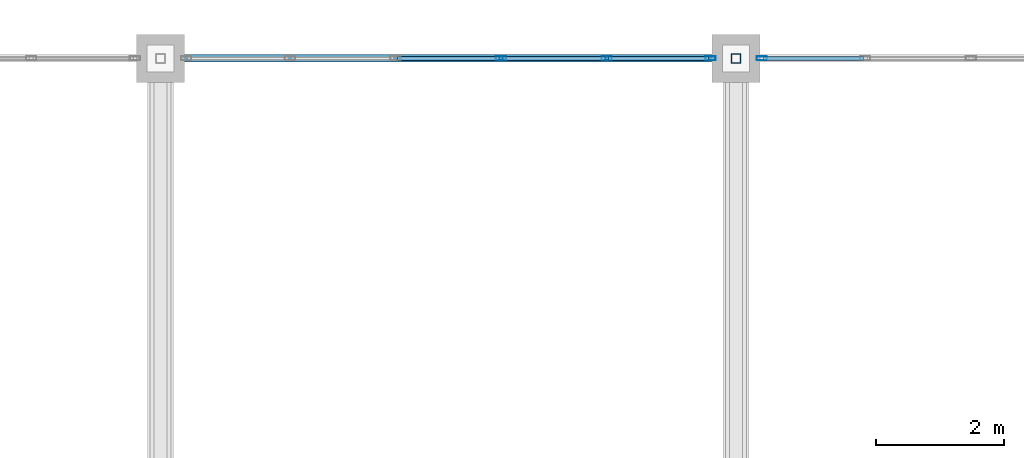
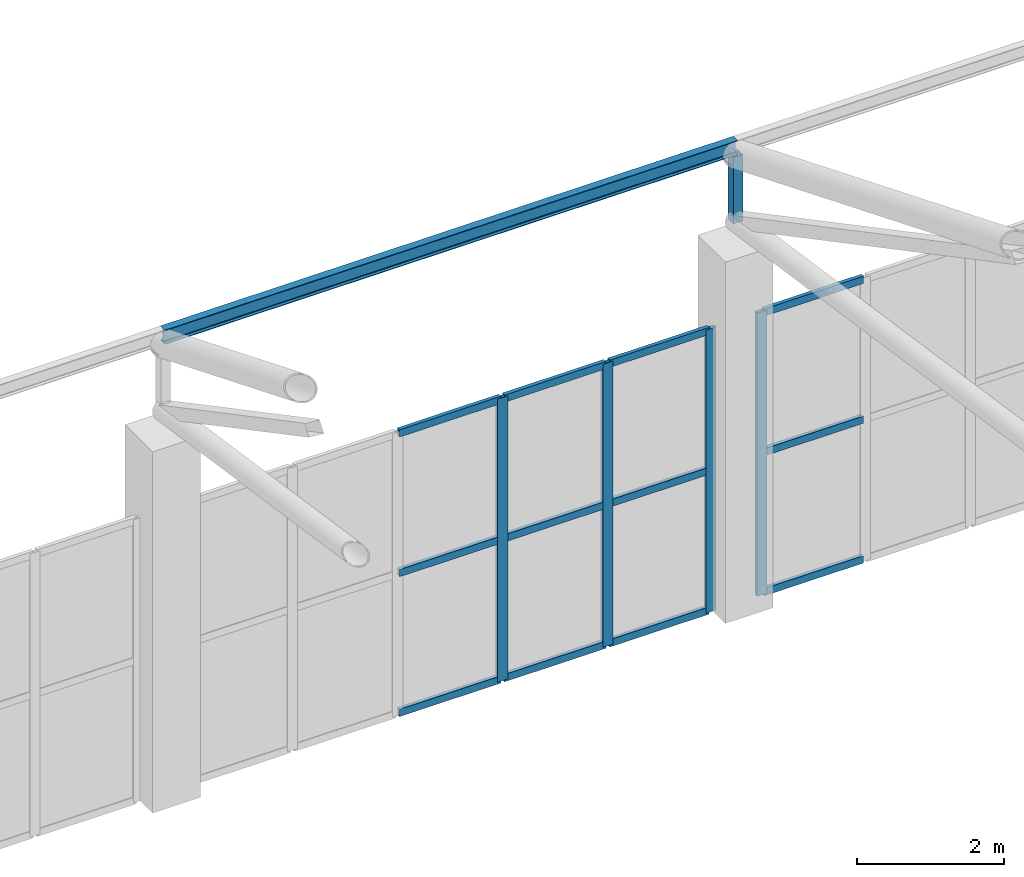
# One storey, part 132 of 223: 18 members, 2 elements without a shape of their own.
"""IFC4 building model written with IfcOpenShell, lengths in metres."""

from ifc_helpers import new_model, si_unit, direction, frame, origin, origin_2d, place, context, subcontext, project, spatial, hollow_rectangle, i_section, extrude, material, layer, layer_set, material_profile, profile_set, type_object, element, aggregate, save


model = new_model("IFC4")

# Units and contexts
model_context = context("Model", 3, precision=1e-05, world=origin(), true_north=direction((0.0, 1.0)))
body_context = subcontext(model_context, "Body", "Model", "MODEL_VIEW")
ifc_project = project(units=[si_unit("LENGTHUNIT", "METRE"), si_unit("AREAUNIT", "SQUARE_METRE"), si_unit("VOLUMEUNIT", "CUBIC_METRE"), si_unit("PLANEANGLEUNIT", "RADIAN"), si_unit("MASSUNIT", "GRAM", prefix="KILO")], contexts=[model_context])

# Site, building, storey
site_placement = place(None, origin())
site = spatial("IfcSite", under=ifc_project, at=site_placement, CompositionType="ELEMENT")
building_placement = place(site_placement, origin())
building = spatial("IfcBuilding", under=site, at=building_placement, Name="Dornveld Trade and Exhibition Forum", CompositionType="ELEMENT")
storey_placement = place(building_placement, frame((0.0, 0.0, 6.0)))
storey = spatial("IfcBuildingStorey", under=building, at=storey_placement, Name="L01", CompositionType="ELEMENT", Elevation=6.0)

# Curtain wall, members
ifc_material_1 = material(Name="Dark-bronze anodised aluminium and low-E glass", Category="aluminium")
ifc_layer_1 = layer(ifc_material_1, 0.18408203125)
ifc_layer_set_1 = layer_set([ifc_layer_1], Name="Dark-bronze anodised aluminium and low-E glass")
curtain_wall_type_1 = type_object("IfcCurtainWallType", Name="CW-SYS-14", PredefinedType="USERDEFINED", material=ifc_layer_set_1)
curtain_wall_1_placement = place(storey_placement, origin())
curtain_wall_1 = element("IfcCurtainWall", 1, at=curtain_wall_1_placement, inside=storey, type_object=curtain_wall_type_1, Name="L01 unitised curtain wall 140", ObjectType="UNITISED_CURTAIN_WALL", PredefinedType="USERDEFINED")
ifc_material_2 = material(Name="Dark-bronze anodised aluminium", Category="aluminium")
ifc_material_profile_1 = material_profile(ifc_material_2, hollow_rectangle(XDim=0.06005859375, YDim=0.159912109375, WallThickness=0.00390625, at=origin_2d()), Name="RHS 160x60x4")
ifc_profile_set_1 = profile_set([ifc_material_profile_1], Name="Dark-bronze anodised aluminium")
member_type_1 = type_object("IfcMemberType", Name="CW-MUL-160", PredefinedType="MULLION", material=ifc_profile_set_1)
member_1_placement = place(storey_placement, frame((125.59912109375, 162.0, -0.00390625), z_axis=(0.0, 0.0, 1.0), x_axis=(0.0, -1.0, 0.0)))
member_1 = element("IfcMember", 2, at=member_1_placement, type_object=member_type_1, Name="CW-14 mullion 1", PredefinedType="MULLION", context=body_context, shape_type="SweptSolid", body=[
    extrude(hollow_rectangle(XDim=0.06005859375, YDim=0.159912109375, WallThickness=0.00390625, at=origin_2d()), origin(), (0.0, 0.0, 1.0), 4.703857421875),
])
member_2_placement = place(storey_placement, frame((123.977294921875, 162.0, -0.00390625), z_axis=(0.0, 0.0, 1.0), x_axis=(0.0, -1.0, 0.0)))
member_2 = element("IfcMember", 3, at=member_2_placement, type_object=member_type_1, Name="CW-14 mullion 2", PredefinedType="MULLION", context=body_context, shape_type="SweptSolid", body=[
    extrude(hollow_rectangle(XDim=0.06005859375, YDim=0.159912109375, WallThickness=0.00390625, at=origin_2d()), origin(), (0.0, 0.0, 1.0), 4.703857421875),
])
member_3_placement = place(storey_placement, frame((122.32568359375, 162.0, -0.00390625), z_axis=(0.0, 0.0, 1.0), x_axis=(0.0, -1.0, 0.0)))
member_3 = element("IfcMember", 4, at=member_3_placement, type_object=member_type_1, Name="CW-14 mullion 3", PredefinedType="MULLION", context=body_context, shape_type="SweptSolid", body=[
    extrude(hollow_rectangle(XDim=0.06005859375, YDim=0.159912109375, WallThickness=0.00390625, at=origin_2d()), origin(), (0.0, 0.0, 1.0), 4.703857421875),
])

# Curtain wall, member
ifc_material_3 = material(Name="Dark-bronze anodised aluminium and low-E glass", Category="aluminium")
ifc_layer_2 = layer(ifc_material_3, 0.18701171875)
ifc_layer_set_2 = layer_set([ifc_layer_2], Name="Dark-bronze anodised aluminium and low-E glass")
curtain_wall_type_2 = type_object("IfcCurtainWallType", Name="CW-SYS-15", PredefinedType="USERDEFINED", material=ifc_layer_set_2)
curtain_wall_2_placement = place(storey_placement, origin())
curtain_wall_2 = element("IfcCurtainWall", 5, at=curtain_wall_2_placement, inside=storey, type_object=curtain_wall_type_2, Name="L01 unitised curtain wall 141", ObjectType="UNITISED_CURTAIN_WALL", PredefinedType="USERDEFINED")
member_4_placement = place(storey_placement, frame((126.40087890625, 162.0, -0.00390625), z_axis=(0.0, 0.0, 1.0), x_axis=(0.0, -1.0, 0.0)))
member_4 = element("IfcMember", 6, at=member_4_placement, type_object=member_type_1, Name="CW-15 mullion 6", PredefinedType="MULLION", context=body_context, shape_type="SweptSolid", body=[
    extrude(hollow_rectangle(XDim=0.06005859375, YDim=0.159912109375, WallThickness=0.00390625, at=origin_2d()), origin(), (0.0, 0.0, 1.0), 4.703857421875),
])

# Member
ifc_material_4 = material(Name="Dark-bronze anodised aluminium", Category="aluminium")
ifc_material_profile_2 = material_profile(ifc_material_4, hollow_rectangle(XDim=0.06005859375, YDim=0.1201171875, WallThickness=0.00390625, at=origin_2d()), Name="RHS 120x60x4")
ifc_profile_set_2 = profile_set([ifc_material_profile_2], Name="Dark-bronze anodised aluminium")
member_type_2 = type_object("IfcMemberType", Name="CW-TRN-120", PredefinedType="USERDEFINED", material=ifc_profile_set_2)
member_5_placement = place(storey_placement, frame((125.569091796875, 162.0, 0.02587890625), z_axis=(-1.0, 0.0, 0.0), x_axis=(0.0, -1.0, 0.0)))
member_5 = element("IfcMember", 7, at=member_5_placement, type_object=member_type_2, Name="CW-14 transom 1.1", ObjectType="TRANSOM", PredefinedType="USERDEFINED", context=body_context, shape_type="SweptSolid", body=[
    extrude(hollow_rectangle(XDim=0.06005859375, YDim=0.1201171875, WallThickness=0.00390625, at=origin_2d()), origin(), (0.0, 0.0, 1.0), 1.561767578125),
])

member_6_placement = place(storey_placement, frame((125.569091796875, 162.0, 2.347900390625), z_axis=(-1.0, 0.0, 0.0), x_axis=(0.0, -1.0, 0.0)))
member_6 = element("IfcMember", 8, at=member_6_placement, type_object=member_type_2, Name="CW-14 transom 1.2", ObjectType="TRANSOM", PredefinedType="USERDEFINED", context=body_context, shape_type="SweptSolid", body=[
    extrude(hollow_rectangle(XDim=0.06005859375, YDim=0.1201171875, WallThickness=0.00390625, at=origin_2d()), origin(), (0.0, 0.0, 1.0), 1.561767578125),
])

member_7_placement = place(storey_placement, frame((125.569091796875, 162.0, 4.669921875), z_axis=(-1.0, 0.0, 0.0), x_axis=(0.0, -1.0, 0.0)))
member_7 = element("IfcMember", 9, at=member_7_placement, type_object=member_type_2, Name="CW-14 transom 1.3", ObjectType="TRANSOM", PredefinedType="USERDEFINED", context=body_context, shape_type="SweptSolid", body=[
    extrude(hollow_rectangle(XDim=0.06005859375, YDim=0.1201171875, WallThickness=0.00390625, at=origin_2d()), origin(), (0.0, 0.0, 1.0), 1.561767578125),
])

member_8_placement = place(storey_placement, frame((123.947509765625, 162.0, 0.02587890625), z_axis=(-1.0, 0.0, 0.0), x_axis=(0.0, -1.0, 0.0)))
member_8 = element("IfcMember", 10, at=member_8_placement, type_object=member_type_2, Name="CW-14 transom 2.1", ObjectType="TRANSOM", PredefinedType="USERDEFINED", context=body_context, shape_type="SweptSolid", body=[
    extrude(hollow_rectangle(XDim=0.06005859375, YDim=0.1201171875, WallThickness=0.00390625, at=origin_2d()), origin(), (0.0, 0.0, 1.0), 1.591796875),
])

member_9_placement = place(storey_placement, frame((123.947509765625, 162.0, 2.347900390625), z_axis=(-1.0, 0.0, 0.0), x_axis=(0.0, -1.0, 0.0)))
member_9 = element("IfcMember", 11, at=member_9_placement, type_object=member_type_2, Name="CW-14 transom 2.2", ObjectType="TRANSOM", PredefinedType="USERDEFINED", context=body_context, shape_type="SweptSolid", body=[
    extrude(hollow_rectangle(XDim=0.06005859375, YDim=0.1201171875, WallThickness=0.00390625, at=origin_2d()), origin(), (0.0, 0.0, 1.0), 1.591796875),
])

member_10_placement = place(storey_placement, frame((123.947509765625, 162.0, 4.669921875), z_axis=(-1.0, 0.0, 0.0), x_axis=(0.0, -1.0, 0.0)))
member_10 = element("IfcMember", 12, at=member_10_placement, type_object=member_type_2, Name="CW-14 transom 2.3", ObjectType="TRANSOM", PredefinedType="USERDEFINED", context=body_context, shape_type="SweptSolid", body=[
    extrude(hollow_rectangle(XDim=0.06005859375, YDim=0.1201171875, WallThickness=0.00390625, at=origin_2d()), origin(), (0.0, 0.0, 1.0), 1.591796875),
])

member_11_placement = place(storey_placement, frame((122.2958984375, 162.0, 0.02587890625), z_axis=(-1.0, 0.0, 0.0), x_axis=(0.0, -1.0, 0.0)))
member_11 = element("IfcMember", 13, at=member_11_placement, type_object=member_type_2, Name="CW-14 transom 3.1", ObjectType="TRANSOM", PredefinedType="USERDEFINED", context=body_context, shape_type="SweptSolid", body=[
    extrude(hollow_rectangle(XDim=0.06005859375, YDim=0.1201171875, WallThickness=0.00390625, at=origin_2d()), origin(), (0.0, 0.0, 1.0), 1.591796875),
])

member_12_placement = place(storey_placement, frame((122.2958984375, 162.0, 2.347900390625), z_axis=(-1.0, 0.0, 0.0), x_axis=(0.0, -1.0, 0.0)))
member_12 = element("IfcMember", 14, at=member_12_placement, type_object=member_type_2, Name="CW-14 transom 3.2", ObjectType="TRANSOM", PredefinedType="USERDEFINED", context=body_context, shape_type="SweptSolid", body=[
    extrude(hollow_rectangle(XDim=0.06005859375, YDim=0.1201171875, WallThickness=0.00390625, at=origin_2d()), origin(), (0.0, 0.0, 1.0), 1.591796875),
])

member_13_placement = place(storey_placement, frame((122.2958984375, 162.0, 4.669921875), z_axis=(-1.0, 0.0, 0.0), x_axis=(0.0, -1.0, 0.0)))
member_13 = element("IfcMember", 15, at=member_13_placement, type_object=member_type_2, Name="CW-14 transom 3.3", ObjectType="TRANSOM", PredefinedType="USERDEFINED", context=body_context, shape_type="SweptSolid", body=[
    extrude(hollow_rectangle(XDim=0.06005859375, YDim=0.1201171875, WallThickness=0.00390625, at=origin_2d()), origin(), (0.0, 0.0, 1.0), 1.591796875),
])

aggregate(curtain_wall_1, [member_1, member_2, member_3, member_5, member_6, member_7, member_8, member_9, member_10, member_11, member_12, member_13])

member_14_placement = place(storey_placement, frame((127.99267578125, 162.0, 0.02587890625), z_axis=(-1.0, 0.0, 0.0), x_axis=(0.0, -1.0, 0.0)))
member_14 = element("IfcMember", 16, at=member_14_placement, type_object=member_type_2, Name="CW-15 transom 5.1", ObjectType="TRANSOM", PredefinedType="USERDEFINED", context=body_context, shape_type="SweptSolid", body=[
    extrude(hollow_rectangle(XDim=0.06005859375, YDim=0.1201171875, WallThickness=0.00390625, at=origin_2d()), origin(), (0.0, 0.0, 1.0), 1.561767578125),
])

member_15_placement = place(storey_placement, frame((127.99267578125, 162.0, 2.347900390625), z_axis=(-1.0, 0.0, 0.0), x_axis=(0.0, -1.0, 0.0)))
member_15 = element("IfcMember", 17, at=member_15_placement, type_object=member_type_2, Name="CW-15 transom 5.2", ObjectType="TRANSOM", PredefinedType="USERDEFINED", context=body_context, shape_type="SweptSolid", body=[
    extrude(hollow_rectangle(XDim=0.06005859375, YDim=0.1201171875, WallThickness=0.00390625, at=origin_2d()), origin(), (0.0, 0.0, 1.0), 1.561767578125),
])

member_16_placement = place(storey_placement, frame((127.99267578125, 162.0, 4.669921875), z_axis=(-1.0, 0.0, 0.0), x_axis=(0.0, -1.0, 0.0)))
member_16 = element("IfcMember", 18, at=member_16_placement, type_object=member_type_2, Name="CW-15 transom 5.3", ObjectType="TRANSOM", PredefinedType="USERDEFINED", context=body_context, shape_type="SweptSolid", body=[
    extrude(hollow_rectangle(XDim=0.06005859375, YDim=0.1201171875, WallThickness=0.00390625, at=origin_2d()), origin(), (0.0, 0.0, 1.0), 1.561767578125),
])

aggregate(curtain_wall_2, [member_4, member_14, member_15, member_16])

# Members
ifc_material_5 = material(Name="Steel S355J2", Category="steel")
ifc_material_profile_3 = material_profile(ifc_material_5, hollow_rectangle(XDim=0.14990234375, YDim=0.14990234375, WallThickness=0.008056640625, at=origin_2d()), Name="SHS 150x150x8")
ifc_profile_set_3 = profile_set([ifc_material_profile_3], Name="Steel S355J2")
member_type_3 = type_object("IfcMemberType", Name="MEM-ARCH-STR", PredefinedType="STRUT", material=ifc_profile_set_3)
member_17_placement = place(storey_placement, frame((126.0, 162.0, 6.35009765625), z_axis=(0.0, 0.0, 1.0), x_axis=(1.0, 0.0, 0.0)))
element("IfcMember", 19, at=member_17_placement, inside=storey, type_object=member_type_3, Name="H1 truss 4 end strut", PredefinedType="STRUT", context=body_context, shape_type="SweptSolid", body=[
    extrude(hollow_rectangle(XDim=0.14990234375, YDim=0.14990234375, WallThickness=0.008056640625, at=origin_2d()), origin(), (0.0, 0.0, 1.0), 1.099853515625),
])
ifc_material_6 = material(Name="Steel S355J2", Category="steel")
ifc_material_profile_4 = material_profile(ifc_material_6, i_section(OverallWidth=0.1201171875, OverallDepth=0.239990234375, WebThickness=0.006103515625, FlangeThickness=0.009765625, FilletRadius=0.014892578125, at=origin_2d()), Name="IPE 240")
ifc_profile_set_4 = profile_set([ifc_material_profile_4], Name="Steel S355J2")
member_type_4 = type_object("IfcMemberType", Name="MEM-PURLIN-240", PredefinedType="PURLIN", material=ifc_profile_set_4)
member_18_placement = place(storey_placement, frame((117.0, 162.0, 7.58203125), z_axis=(1.0, 0.0, 0.0), x_axis=(0.0, 1.0, 0.0)))
element("IfcMember", 20, at=member_18_placement, inside=storey, type_object=member_type_4, Name="H1 bay 3 roof purlin 7", PredefinedType="PURLIN", context=body_context, shape_type="SweptSolid", body=[
    extrude(i_section(OverallWidth=0.1201171875, OverallDepth=0.239990234375, WebThickness=0.006103515625, FlangeThickness=0.009765625, FilletRadius=0.014892578125, at=origin_2d()), origin(), (0.0, 0.0, 1.0), 9.0),
])

save(model, "model.ifc")
